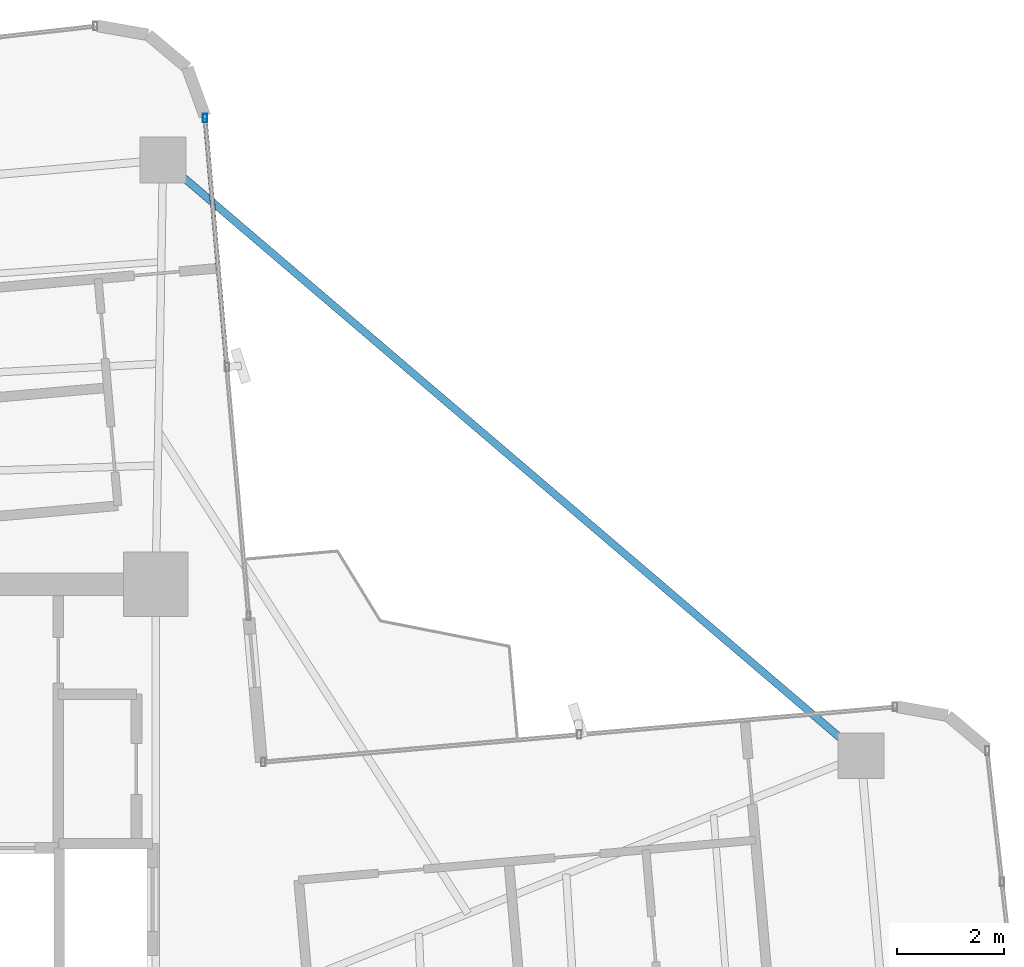
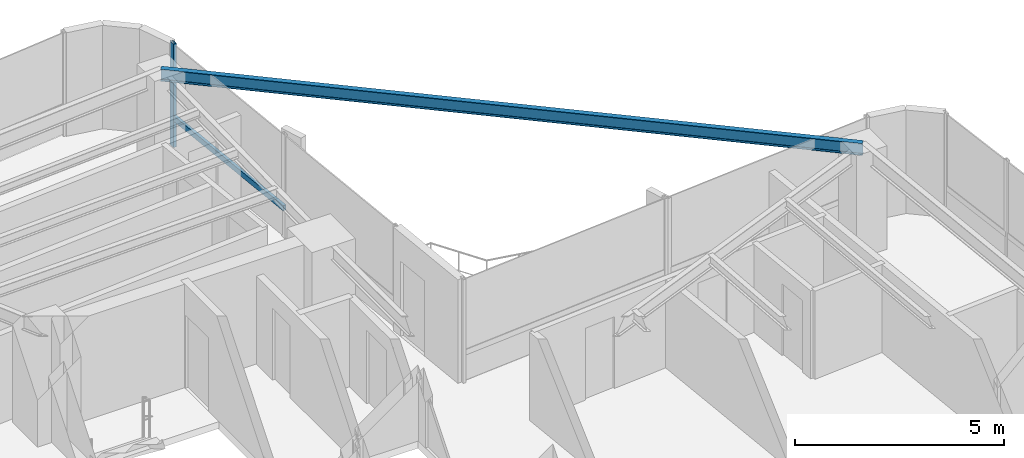
# One storey, part 17 of 24: 2 members, 1 beam, 1 element without a shape of its own.
"""IFC4 building model written with IfcOpenShell, lengths in metres."""

from ifc_helpers import new_model, si_unit, direction, frame, origin, origin_2d, place, context, subcontext, project, spatial, hollow_rectangle, i_section, extrude, source, transform, mapped, material, material_profile, profile_set, type_object, element, aggregate, save


model = new_model("IFC4")

# Units and contexts
model_context = context("Model", 3, precision=1e-05, world=origin(), true_north=direction((0.0, 1.0)))
body_context = subcontext(model_context, "Body", "Model", "MODEL_VIEW")
ifc_project = project(units=[si_unit("LENGTHUNIT", "METRE"), si_unit("AREAUNIT", "SQUARE_METRE"), si_unit("VOLUMEUNIT", "CUBIC_METRE"), si_unit("PLANEANGLEUNIT", "RADIAN"), si_unit("MASSUNIT", "GRAM", prefix="KILO")], contexts=[model_context])

# Site, building, storey
site_placement = place(None, origin())
site = spatial("IfcSite", under=ifc_project, at=site_placement, CompositionType="ELEMENT")
building_placement = place(site_placement, origin())
building = spatial("IfcBuilding", under=site, at=building_placement, Name="Sahyath Konkavel Grand Hotel", CompositionType="ELEMENT")
storey_placement = place(building_placement, frame((0.0, 0.0, 198.64990234375)))
storey = spatial("IfcBuildingStorey", under=building, at=storey_placement, Name="L55", CompositionType="ELEMENT", Elevation=198.64990234375)

# Beam
ifc_material_1 = material(Name="Steel E350", Category="steel")
ifc_material_profile_1 = material_profile(ifc_material_1, i_section(OverallWidth=0.139892578125, OverallDepth=0.35009765625, WebThickness=0.008056640625, FlangeThickness=0.01416015625, FilletRadius=0.013916015625, at=origin_2d()), Name="ISMB 350")
ifc_profile_set_1 = profile_set([ifc_material_profile_1], Name="Steel E350")
beam_type = type_object("IfcBeamType", Name="BM-ISMB350", PredefinedType="BEAM", material=ifc_profile_set_1)
shared_shape_1 = source(origin(), body_context, "Body", "SweptSolid", [
    extrude(i_section(OverallWidth=0.139892578125, OverallDepth=0.35009765625, WebThickness=0.008056640625, FlangeThickness=0.01416015625, FilletRadius=0.013916015625, at=origin_2d()), origin(), (0.0, 0.0, 1.0), 17.11279296875),
])
beam_placement = place(storey_placement, frame((16.9541015625, 7.00439453125, 2.85498046875), z_axis=(-0.760711911164, 0.649089661151, 0.0), x_axis=(-0.649089661151, -0.760711911164, 0.0)))
element("IfcBeam", 1, at=beam_placement, inside=storey, type_object=beam_type, Name="L55 Re-Entrant Tie Beam NE", PredefinedType="BEAM", context=body_context, shape_type="MappedRepresentation", body=[
    mapped(shared_shape_1, transform((0.0, 0.0, 0.0), scale=1.0)),
])

# Curtain wall, members
ifc_material_2 = material(Name="Anodised Bronze Aluminium & Low-E Glazing", Category="aluminium")
curtain_wall_type = type_object("IfcCurtainWallType", Name="CW-ZONE3", PredefinedType="NOTDEFINED", material=ifc_material_2)
curtain_wall_placement = place(storey_placement, origin())
curtain_wall = element("IfcCurtainWall", 2, at=curtain_wall_placement, inside=storey, type_object=curtain_wall_type, Name="L55 Unitised Curtain Wall F8", PredefinedType="NOTDEFINED")
ifc_material_3 = material(Name="Anodised Bronze Aluminium", Category="aluminium")
ifc_material_profile_2 = material_profile(ifc_material_3, hollow_rectangle(XDim=0.080078125, YDim=0.159912109375, WallThickness=0.006103515625, at=origin_2d()), Name="RHS 160x80x6")
ifc_profile_set_2 = profile_set([ifc_material_profile_2], Name="Anodised Bronze Aluminium")
member_type_1 = type_object("IfcMemberType", Name="CW-MUL-160", PredefinedType="MULLION", material=ifc_profile_set_2)
shared_shape_2 = source(origin(), body_context, "Body", "SweptSolid", [
    extrude(hollow_rectangle(XDim=0.080078125, YDim=0.159912109375, WallThickness=0.006103515625, at=origin_2d()), origin(), (0.0, 0.0, 1.0), 3.030029296875),
])
member_1_placement = place(storey_placement, frame((4.72119140625, 18.893310546875, 0.0), z_axis=(0.0, 0.0, 1.0), x_axis=(1.0, 0.0, 0.0)))
member_1 = element("IfcMember", 3, at=member_1_placement, type_object=member_type_1, Name="L55 Curtain Wall Mullion F8-2", PredefinedType="MULLION", context=body_context, shape_type="MappedRepresentation", body=[
    mapped(shared_shape_2, transform((0.0, 0.0, 0.0), scale=1.0)),
])
ifc_material_profile_3 = material_profile(ifc_material_3, hollow_rectangle(XDim=0.080078125, YDim=0.159912109375, WallThickness=0.006103515625, at=origin_2d()), Name="RHS 160x80x6")
ifc_profile_set_3 = profile_set([ifc_material_profile_3], Name="Anodised Bronze Aluminium")
member_type_2 = type_object("IfcMemberType", Name="CW-TRN-160", PredefinedType="USERDEFINED", material=ifc_profile_set_3)
shared_shape_3 = source(origin(), body_context, "Body", "SweptSolid", [
    extrude(hollow_rectangle(XDim=0.080078125, YDim=0.159912109375, WallThickness=0.006103515625, at=origin_2d()), origin(), (0.0, 0.0, 1.0), 4.659912109375),
])
member_2_placement = place(storey_placement, frame((5.12744140625, 14.251220703125, 0.85009765625), z_axis=(-0.087181248758, 0.996192466276, 0.0), x_axis=(-0.996192466276, -0.087181248758, 0.0)))
member_2 = element("IfcMember", 4, at=member_2_placement, type_object=member_type_2, Name="L55 Curtain Wall Transom F8-1-spandrel", ObjectType="TRANSOM", PredefinedType="USERDEFINED", context=body_context, shape_type="MappedRepresentation", body=[
    mapped(shared_shape_3, transform((0.0, 0.0, 0.0), scale=1.0)),
])
aggregate(curtain_wall, [member_1, member_2])

save(model, "model.ifc")
